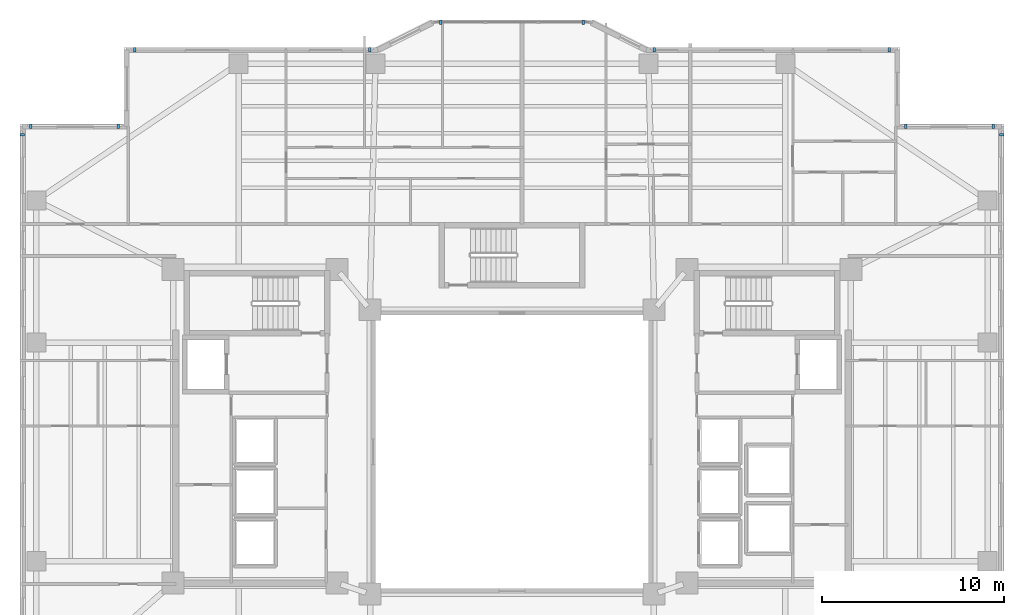
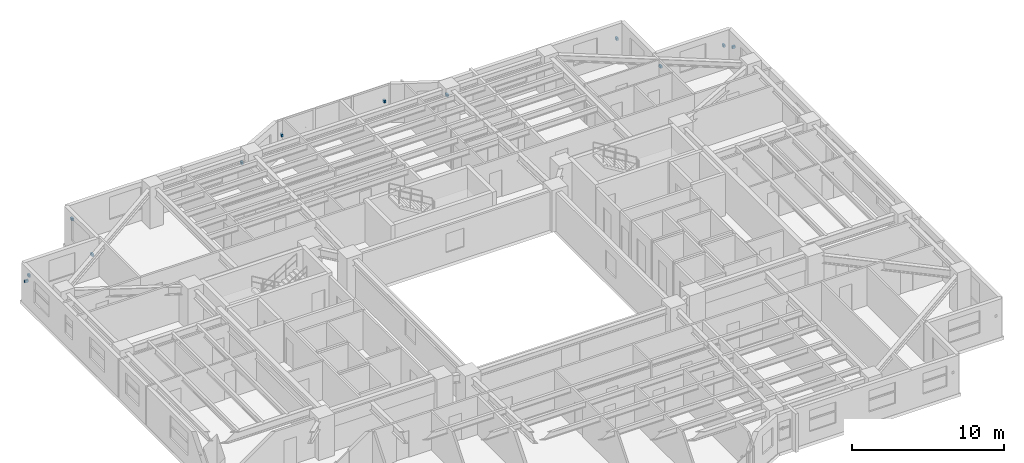
# One storey, part 13 of 18: 12 discrete accessories.
"""IFC4 building model written with IfcOpenShell, lengths in metres."""

from ifc_helpers import new_model, si_unit, direction, frame, origin, origin_2d, place, context, subcontext, project, spatial, rectangle, extrude, material, type_object, element, save


model = new_model("IFC4")

# Units and contexts
model_context = context("Model", 3, precision=1e-05, world=origin(), true_north=direction((0.0, 1.0)))
body_context = subcontext(model_context, "Body", "Model", "MODEL_VIEW")
ifc_project = project(units=[si_unit("LENGTHUNIT", "METRE"), si_unit("AREAUNIT", "SQUARE_METRE"), si_unit("VOLUMEUNIT", "CUBIC_METRE"), si_unit("PLANEANGLEUNIT", "RADIAN"), si_unit("MASSUNIT", "GRAM", prefix="KILO")], contexts=[model_context])

# Site, building, storey
site_placement = place(None, origin())
site = spatial("IfcSite", under=ifc_project, at=site_placement, CompositionType="ELEMENT")
building_placement = place(site_placement, origin())
building = spatial("IfcBuilding", under=site, at=building_placement, Name="Tarnavaz Court Tower", CompositionType="ELEMENT")
storey_placement = place(building_placement, frame((0.0, 0.0, 95.050048828125)))
storey = spatial("IfcBuildingStorey", under=building, at=storey_placement, Name="L25", CompositionType="ELEMENT", Elevation=95.050048828125)

# Discrete accessories
ifc_material = material(Name="Anodised Aluminium 6063-T6", Category="aluminium")
discrete_accessory_type = type_object("IfcDiscreteAccessoryType", Name="DA-BRKT-ALU", PredefinedType="BRACKET", material=ifc_material)
for number, where, z_axis, x_axis, name in (
    (1, (-26.8701171875, 17.39990234375, 1.75), (0.0, 0.0, 1.0), (0.0, 1.0, 0.0), "L25 Baguette Outrigger Bracket FBG02-2"),
    (2, (-26.39990234375, 17.8701171875, 1.75), (0.0, 0.0, 1.0), (1.0, 0.0, 0.0), "L25 Baguette Outrigger Bracket FBG03-1"),
    (3, (-21.60009765625, 17.8701171875, 1.75), (0.0, 0.0, 1.0), (1.0, 0.0, 0.0), "L25 Baguette Outrigger Bracket FBG03-2"),
    (4, (-20.699951171875, 22.070068359375, 1.75), (0.0, 0.0, 1.0), (1.0, 0.0, 0.0), "L25 Baguette Outrigger Bracket FBG05-1"),
    (5, (-7.800048828125, 22.070068359375, 1.75), (0.0, 0.0, 1.0), (1.0, 0.0, 0.0), "L25 Baguette Outrigger Bracket FBG05-2"),
    (6, (-3.89990234375, 23.570068359375, 1.7001953125), (0.0, 0.0, 1.0), (1.0, 0.0, 0.0), "L25 Baguette Outrigger Bracket PBG7-1"),
    (7, (3.89990234375, 23.570068359375, 1.7001953125), (0.0, 0.0, 1.0), (1.0, 0.0, 0.0), "L25 Baguette Outrigger Bracket PBG7-2"),
    (8, (7.800048828125, 22.070068359375, 1.75), (0.0, 0.0, 1.0), (1.0, 0.0, 0.0), "L25 Baguette Outrigger Bracket FBG09-1"),
    (9, (20.699951171875, 22.070068359375, 1.75), (0.0, 0.0, 1.0), (1.0, 0.0, 0.0), "L25 Baguette Outrigger Bracket FBG09-2"),
    (10, (21.60009765625, 17.8701171875, 1.75), (0.0, 0.0, 1.0), (1.0, 0.0, 0.0), "L25 Baguette Outrigger Bracket FBG11-1"),
    (11, (26.39990234375, 17.8701171875, 1.75), (0.0, 0.0, 1.0), (1.0, 0.0, 0.0), "L25 Baguette Outrigger Bracket FBG11-2"),
    (12, (26.8701171875, 17.39990234375, 1.75), (0.0, 0.0, 1.0), (0.0, -1.0, 0.0), "L25 Baguette Outrigger Bracket FBG12-1"),
):
    element("IfcDiscreteAccessory", number, at=place(storey_placement, frame(where, z_axis=z_axis, x_axis=x_axis)), inside=storey, type_object=discrete_accessory_type, Name=name, PredefinedType="BRACKET", context=body_context, shape_type="SweptSolid", body=[
        extrude(rectangle(XDim=0.139892578125, YDim=0.239990234375, at=origin_2d()), origin(), (0.0, 0.0, 1.0), 0.199951171875),
    ])

save(model, "model.ifc")
